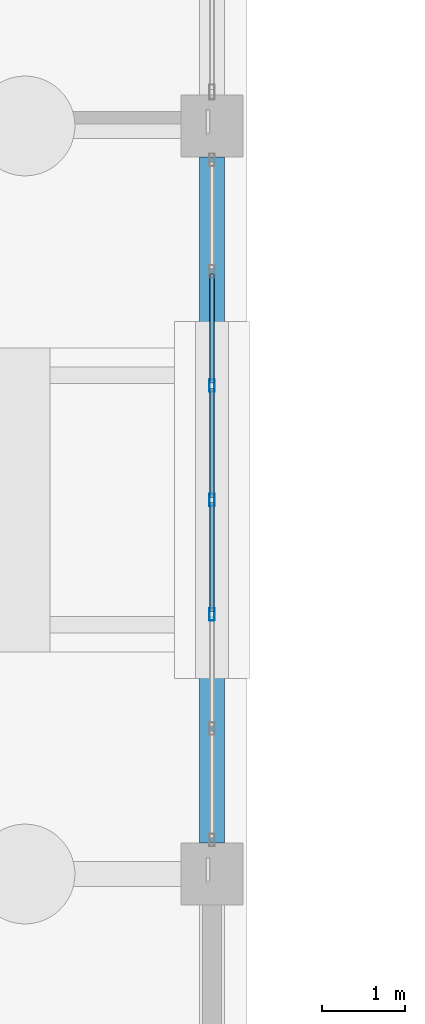
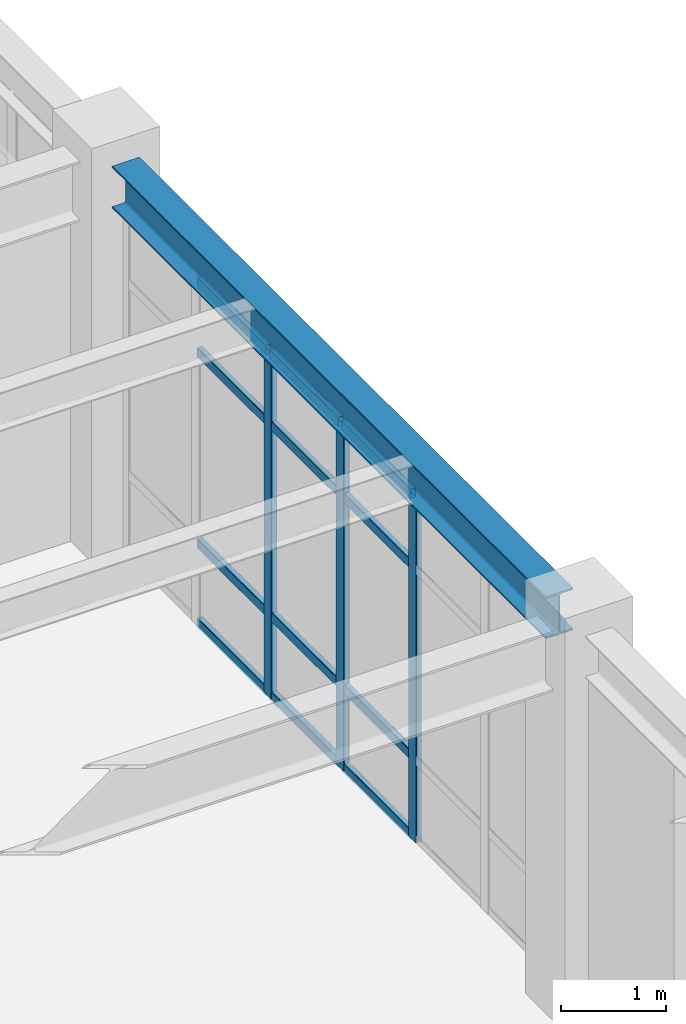
# One storey, part 44 of 98: 15 members, 1 beam, 1 element without a shape of its own.
"""IFC4 building model written with IfcOpenShell, lengths in metres."""

from ifc_helpers import new_model, si_unit, direction, frame, origin, origin_2d, place, context, subcontext, project, spatial, hollow_rectangle, i_section, extrude, material, material_profile, profile_set, type_object, element, aggregate, save


model = new_model("IFC4")

# Units and contexts
model_context = context("Model", 3, precision=1e-05, world=origin(), true_north=direction((0.0, 1.0)))
body_context = subcontext(model_context, "Body", "Model", "MODEL_VIEW")
ifc_project = project(units=[si_unit("LENGTHUNIT", "METRE"), si_unit("AREAUNIT", "SQUARE_METRE"), si_unit("VOLUMEUNIT", "CUBIC_METRE"), si_unit("PLANEANGLEUNIT", "RADIAN"), si_unit("MASSUNIT", "GRAM", prefix="KILO")], contexts=[model_context])

# Site, building, storey
site_placement = place(None, origin())
site = spatial("IfcSite", under=ifc_project, at=site_placement, CompositionType="ELEMENT")
building_placement = place(site_placement, origin())
building = spatial("IfcBuilding", under=site, at=building_placement, Name="Canglan Escarpment Cableway Terminal", CompositionType="ELEMENT")
storey_placement = place(building_placement, frame((0.0, 0.0, 9.60009765625)))
storey = spatial("IfcBuildingStorey", under=building, at=storey_placement, Name="L02", CompositionType="ELEMENT", Elevation=9.60009765625)

# Beam
ifc_material_1 = material(Name="Steel Q355B", Category="steel")
ifc_material_profile_1 = material_profile(ifc_material_1, i_section(OverallWidth=0.300048828125, OverallDepth=0.488037109375, WebThickness=0.010986328125, FlangeThickness=0.01806640625, FilletRadius=0.02587890625, at=origin_2d()), Name="HM 488x300x11x18")
ifc_profile_set_1 = profile_set([ifc_material_profile_1], Name="Steel Q355B")
beam_type = type_object("IfcBeamType", Name="BM-HM488", PredefinedType="BEAM", material=ifc_profile_set_1)
beam_placement = place(storey_placement, frame((136.699951171875, 52.375, 4.27587890625), z_axis=(0.0, 1.0, 0.0), x_axis=(-1.0, 0.0, 0.0)))
element("IfcBeam", 1, at=beam_placement, inside=storey, type_object=beam_type, Name="Primary transverse girder B-09", PredefinedType="BEAM", context=body_context, shape_type="SweptSolid", body=[
    extrude(i_section(OverallWidth=0.300048828125, OverallDepth=0.488037109375, WebThickness=0.010986328125, FlangeThickness=0.01806640625, FilletRadius=0.02587890625, at=origin_2d()), origin(), (0.0, 0.0, 1.0), 8.25),
])

# Curtain wall, members
ifc_material_2 = material(Name="Anodized bronze aluminium and Low-E double glazing", Category="aluminium")
curtain_wall_type = type_object("IfcCurtainWallType", Name="CW-BAY-8250x4025", PredefinedType="NOTDEFINED", material=ifc_material_2)
curtain_wall_placement = place(storey_placement, origin())
curtain_wall = element("IfcCurtainWall", 2, at=curtain_wall_placement, inside=storey, type_object=curtain_wall_type, Name="Classical bay-between-piers glazed curtain wall CW-43", PredefinedType="NOTDEFINED")
ifc_material_3 = material(Name="Thermally broken anodized aluminium 6063-T6", Category="aluminium")
ifc_material_profile_2 = material_profile(ifc_material_3, hollow_rectangle(XDim=0.06494140625, YDim=0.14990234375, WallThickness=0.00341796875, InnerFilletRadius=0.00341796875, OuterFilletRadius=0.007080078125, at=origin_2d()), Name="ALU-MULL 65x150x3.5")
ifc_profile_set_2 = profile_set([ifc_material_profile_2], Name="Thermally broken anodized aluminium 6063-T6")
member_type_1 = type_object("IfcMemberType", Name="CWM-02", PredefinedType="MULLION", material=ifc_profile_set_2)
member_1_placement = place(storey_placement, frame((136.699951171875, 55.125, 0.0), z_axis=(0.0, 0.0, 1.0), x_axis=(-1.0, 0.0, 0.0)))
member_1 = element("IfcMember", 3, at=member_1_placement, type_object=member_type_1, Name="CW-43 mullion 3", PredefinedType="MULLION", context=body_context, shape_type="SweptSolid", body=[
    extrude(hollow_rectangle(XDim=0.06494140625, YDim=0.14990234375, WallThickness=0.00341796875, InnerFilletRadius=0.00341796875, OuterFilletRadius=0.007080078125, at=origin_2d()), origin(), (0.0, 0.0, 1.0), 4.016845703125),
])
member_2_placement = place(storey_placement, frame((136.699951171875, 56.5, 0.0), z_axis=(0.0, 0.0, 1.0), x_axis=(-1.0, 0.0, 0.0)))
member_2 = element("IfcMember", 4, at=member_2_placement, type_object=member_type_1, Name="CW-43 mullion 4", PredefinedType="MULLION", context=body_context, shape_type="SweptSolid", body=[
    extrude(hollow_rectangle(XDim=0.06494140625, YDim=0.14990234375, WallThickness=0.00341796875, InnerFilletRadius=0.00341796875, OuterFilletRadius=0.007080078125, at=origin_2d()), origin(), (0.0, 0.0, 1.0), 4.016845703125),
])
member_3_placement = place(storey_placement, frame((136.699951171875, 57.875, 0.0), z_axis=(0.0, 0.0, 1.0), x_axis=(-1.0, 0.0, 0.0)))
member_3 = element("IfcMember", 5, at=member_3_placement, type_object=member_type_1, Name="CW-43 mullion 5", PredefinedType="MULLION", context=body_context, shape_type="SweptSolid", body=[
    extrude(hollow_rectangle(XDim=0.06494140625, YDim=0.14990234375, WallThickness=0.00341796875, InnerFilletRadius=0.00341796875, OuterFilletRadius=0.007080078125, at=origin_2d()), origin(), (0.0, 0.0, 1.0), 4.016845703125),
])
ifc_material_profile_3 = material_profile(ifc_material_3, hollow_rectangle(XDim=0.06005859375, YDim=0.110107421875, WallThickness=0.0029296875, InnerFilletRadius=0.0029296875, OuterFilletRadius=0.006103515625, at=origin_2d()), Name="ALU-TRAN 60x110x3")
ifc_profile_set_3 = profile_set([ifc_material_profile_3], Name="Thermally broken anodized aluminium 6063-T6")
member_type_2 = type_object("IfcMemberType", Name="CWT-02", PredefinedType="USERDEFINED", material=ifc_profile_set_3)
member_4_placement = place(storey_placement, frame((136.699951171875, 55.157470703125, 0.02978515625), z_axis=(0.0, 1.0, 0.0), x_axis=(-1.0, 0.0, 0.0)))
member_4 = element("IfcMember", 6, at=member_4_placement, type_object=member_type_2, Name="CW-43 transom 3.1", ObjectType="TRANSOM", PredefinedType="USERDEFINED", context=body_context, shape_type="SweptSolid", body=[
    extrude(hollow_rectangle(XDim=0.06005859375, YDim=0.110107421875, WallThickness=0.0029296875, InnerFilletRadius=0.0029296875, OuterFilletRadius=0.006103515625, at=origin_2d()), origin(), (0.0, 0.0, 1.0), 1.31005859375),
])
member_5_placement = place(storey_placement, frame((136.699951171875, 55.157470703125, 0.949951171875), z_axis=(0.0, 1.0, 0.0), x_axis=(-1.0, 0.0, 0.0)))
member_5 = element("IfcMember", 7, at=member_5_placement, type_object=member_type_2, Name="CW-43 transom 3.2", ObjectType="TRANSOM", PredefinedType="USERDEFINED", context=body_context, shape_type="SweptSolid", body=[
    extrude(hollow_rectangle(XDim=0.06005859375, YDim=0.110107421875, WallThickness=0.0029296875, InnerFilletRadius=0.0029296875, OuterFilletRadius=0.006103515625, at=origin_2d()), origin(), (0.0, 0.0, 1.0), 1.31005859375),
])
member_6_placement = place(storey_placement, frame((136.699951171875, 55.157470703125, 3.1669921875), z_axis=(0.0, 1.0, 0.0), x_axis=(-1.0, 0.0, 0.0)))
member_6 = element("IfcMember", 8, at=member_6_placement, type_object=member_type_2, Name="CW-43 transom 3.3", ObjectType="TRANSOM", PredefinedType="USERDEFINED", context=body_context, shape_type="SweptSolid", body=[
    extrude(hollow_rectangle(XDim=0.06005859375, YDim=0.110107421875, WallThickness=0.0029296875, InnerFilletRadius=0.0029296875, OuterFilletRadius=0.006103515625, at=origin_2d()), origin(), (0.0, 0.0, 1.0), 1.31005859375),
])
member_7_placement = place(storey_placement, frame((136.699951171875, 55.157470703125, 3.98681640625), z_axis=(0.0, 1.0, 0.0), x_axis=(-1.0, 0.0, 0.0)))
member_7 = element("IfcMember", 9, at=member_7_placement, type_object=member_type_2, Name="CW-43 transom 3.4", ObjectType="TRANSOM", PredefinedType="USERDEFINED", context=body_context, shape_type="SweptSolid", body=[
    extrude(hollow_rectangle(XDim=0.06005859375, YDim=0.110107421875, WallThickness=0.0029296875, InnerFilletRadius=0.0029296875, OuterFilletRadius=0.006103515625, at=origin_2d()), origin(), (0.0, 0.0, 1.0), 1.31005859375),
])
member_8_placement = place(storey_placement, frame((136.699951171875, 56.532470703125, 0.02978515625), z_axis=(0.0, 1.0, 0.0), x_axis=(-1.0, 0.0, 0.0)))
member_8 = element("IfcMember", 10, at=member_8_placement, type_object=member_type_2, Name="CW-43 transom 4.1", ObjectType="TRANSOM", PredefinedType="USERDEFINED", context=body_context, shape_type="SweptSolid", body=[
    extrude(hollow_rectangle(XDim=0.06005859375, YDim=0.110107421875, WallThickness=0.0029296875, InnerFilletRadius=0.0029296875, OuterFilletRadius=0.006103515625, at=origin_2d()), origin(), (0.0, 0.0, 1.0), 1.31005859375),
])
member_9_placement = place(storey_placement, frame((136.699951171875, 56.532470703125, 0.949951171875), z_axis=(0.0, 1.0, 0.0), x_axis=(-1.0, 0.0, 0.0)))
member_9 = element("IfcMember", 11, at=member_9_placement, type_object=member_type_2, Name="CW-43 transom 4.2", ObjectType="TRANSOM", PredefinedType="USERDEFINED", context=body_context, shape_type="SweptSolid", body=[
    extrude(hollow_rectangle(XDim=0.06005859375, YDim=0.110107421875, WallThickness=0.0029296875, InnerFilletRadius=0.0029296875, OuterFilletRadius=0.006103515625, at=origin_2d()), origin(), (0.0, 0.0, 1.0), 1.31005859375),
])
member_10_placement = place(storey_placement, frame((136.699951171875, 56.532470703125, 3.1669921875), z_axis=(0.0, 1.0, 0.0), x_axis=(-1.0, 0.0, 0.0)))
member_10 = element("IfcMember", 12, at=member_10_placement, type_object=member_type_2, Name="CW-43 transom 4.3", ObjectType="TRANSOM", PredefinedType="USERDEFINED", context=body_context, shape_type="SweptSolid", body=[
    extrude(hollow_rectangle(XDim=0.06005859375, YDim=0.110107421875, WallThickness=0.0029296875, InnerFilletRadius=0.0029296875, OuterFilletRadius=0.006103515625, at=origin_2d()), origin(), (0.0, 0.0, 1.0), 1.31005859375),
])
member_11_placement = place(storey_placement, frame((136.699951171875, 56.532470703125, 3.98681640625), z_axis=(0.0, 1.0, 0.0), x_axis=(-1.0, 0.0, 0.0)))
member_11 = element("IfcMember", 13, at=member_11_placement, type_object=member_type_2, Name="CW-43 transom 4.4", ObjectType="TRANSOM", PredefinedType="USERDEFINED", context=body_context, shape_type="SweptSolid", body=[
    extrude(hollow_rectangle(XDim=0.06005859375, YDim=0.110107421875, WallThickness=0.0029296875, InnerFilletRadius=0.0029296875, OuterFilletRadius=0.006103515625, at=origin_2d()), origin(), (0.0, 0.0, 1.0), 1.31005859375),
])
member_12_placement = place(storey_placement, frame((136.699951171875, 57.907470703125, 0.02978515625), z_axis=(0.0, 1.0, 0.0), x_axis=(-1.0, 0.0, 0.0)))
member_12 = element("IfcMember", 14, at=member_12_placement, type_object=member_type_2, Name="CW-43 transom 5.1", ObjectType="TRANSOM", PredefinedType="USERDEFINED", context=body_context, shape_type="SweptSolid", body=[
    extrude(hollow_rectangle(XDim=0.06005859375, YDim=0.110107421875, WallThickness=0.0029296875, InnerFilletRadius=0.0029296875, OuterFilletRadius=0.006103515625, at=origin_2d()), origin(), (0.0, 0.0, 1.0), 1.31005859375),
])
member_13_placement = place(storey_placement, frame((136.699951171875, 57.907470703125, 0.949951171875), z_axis=(0.0, 1.0, 0.0), x_axis=(-1.0, 0.0, 0.0)))
member_13 = element("IfcMember", 15, at=member_13_placement, type_object=member_type_2, Name="CW-43 transom 5.2", ObjectType="TRANSOM", PredefinedType="USERDEFINED", context=body_context, shape_type="SweptSolid", body=[
    extrude(hollow_rectangle(XDim=0.06005859375, YDim=0.110107421875, WallThickness=0.0029296875, InnerFilletRadius=0.0029296875, OuterFilletRadius=0.006103515625, at=origin_2d()), origin(), (0.0, 0.0, 1.0), 1.31005859375),
])
member_14_placement = place(storey_placement, frame((136.699951171875, 57.907470703125, 3.1669921875), z_axis=(0.0, 1.0, 0.0), x_axis=(-1.0, 0.0, 0.0)))
member_14 = element("IfcMember", 16, at=member_14_placement, type_object=member_type_2, Name="CW-43 transom 5.3", ObjectType="TRANSOM", PredefinedType="USERDEFINED", context=body_context, shape_type="SweptSolid", body=[
    extrude(hollow_rectangle(XDim=0.06005859375, YDim=0.110107421875, WallThickness=0.0029296875, InnerFilletRadius=0.0029296875, OuterFilletRadius=0.006103515625, at=origin_2d()), origin(), (0.0, 0.0, 1.0), 1.31005859375),
])
member_15_placement = place(storey_placement, frame((136.699951171875, 57.907470703125, 3.98681640625), z_axis=(0.0, 1.0, 0.0), x_axis=(-1.0, 0.0, 0.0)))
member_15 = element("IfcMember", 17, at=member_15_placement, type_object=member_type_2, Name="CW-43 transom 5.4", ObjectType="TRANSOM", PredefinedType="USERDEFINED", context=body_context, shape_type="SweptSolid", body=[
    extrude(hollow_rectangle(XDim=0.06005859375, YDim=0.110107421875, WallThickness=0.0029296875, InnerFilletRadius=0.0029296875, OuterFilletRadius=0.006103515625, at=origin_2d()), origin(), (0.0, 0.0, 1.0), 1.31005859375),
])
aggregate(curtain_wall, [member_1, member_2, member_3, member_4, member_5, member_6, member_7, member_8, member_9, member_10, member_11, member_12, member_13, member_14, member_15])

save(model, "model.ifc")
